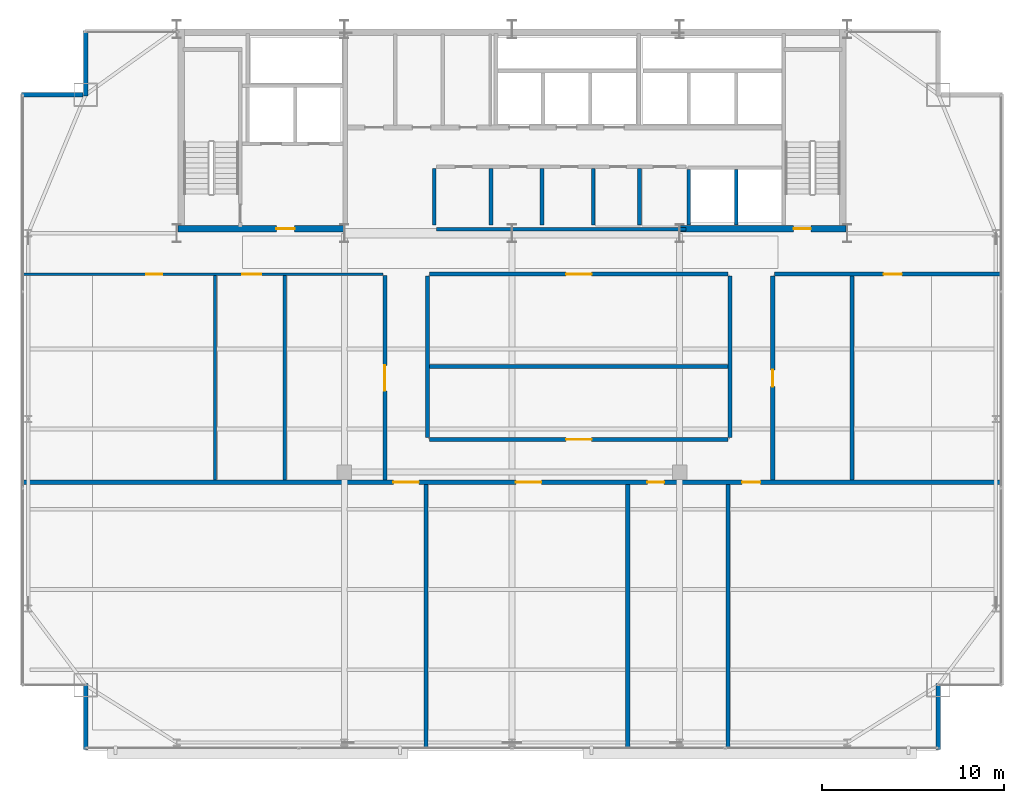
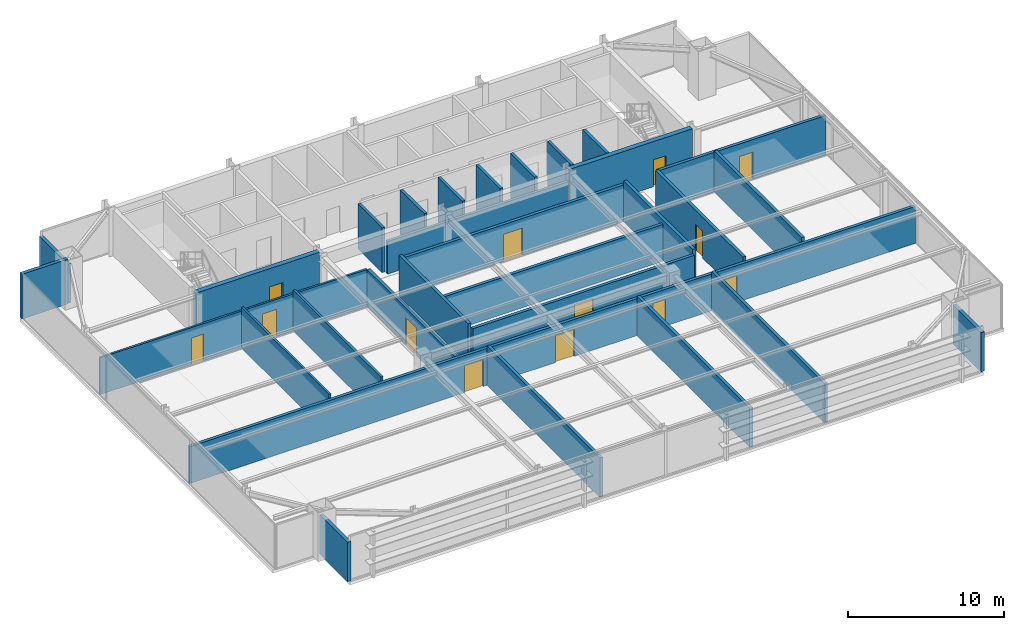
# One storey, part 25 of 29: 30 walls, 13 doors, 13 openings.
"""IFC4 building model written with IfcOpenShell, lengths in metres."""

from ifc_helpers import new_model, si_unit, direction, frame, frame_2d, origin, place, context, subcontext, project, spatial, rectangle, extrude, source, transform, mapped, material, layer, layer_set, type_object, type_shapes, element, fill, save


model = new_model("IFC4")

# Units and contexts
model_context = context("Model", 3, precision=1e-05, world=origin(), true_north=direction((0.0, 1.0)))
body_context = subcontext(model_context, "Body", "Model", "MODEL_VIEW")
ifc_project = project(units=[si_unit("LENGTHUNIT", "METRE"), si_unit("AREAUNIT", "SQUARE_METRE"), si_unit("VOLUMEUNIT", "CUBIC_METRE"), si_unit("PLANEANGLEUNIT", "RADIAN"), si_unit("MASSUNIT", "GRAM", prefix="KILO")], contexts=[model_context])

# Site, building, storey
site_placement = place(None, origin())
site = spatial("IfcSite", under=ifc_project, at=site_placement, CompositionType="ELEMENT")
building_placement = place(site_placement, origin())
building = spatial("IfcBuilding", under=site, at=building_placement, Name="Varnel Quay Broadcast Tower", CompositionType="ELEMENT")
storey_placement = place(building_placement, frame((0.0, 0.0, 187.60009765625)))
storey = spatial("IfcBuildingStorey", under=building, at=storey_placement, Name="L46", CompositionType="ELEMENT", Elevation=187.60009765625)

# Walls
ifc_material_1 = material(Name="Concrete CSA A23.3 C50/60", Category="concrete")
ifc_layer_1 = layer(ifc_material_1, 0.199951171875, Name="Concrete CSA A23.3 C50/60")
ifc_layer_set_1 = layer_set([ifc_layer_1], Name="Concrete CSA A23.3 C50/60")
wall_type_1 = type_object("IfcWallType", Name="Wall_CoreShaftShear200", PredefinedType="SHEAR", material=ifc_layer_set_1)
for number, where, z_axis, x_axis, name in (
    (1, (43.699951171875, 36.050048828125, 0.0), (0.0, 0.0, 1.0), (0.0, 1.0, 0.0), "L46 Express Lift Shaft West Wall"),
    (2, (46.300048828125, 36.050048828125, 0.0), (0.0, 0.0, 1.0), (0.0, 1.0, 0.0), "L46 Express Lift Shaft Divider"),
):
    element("IfcWall", number, at=place(storey_placement, frame(where, z_axis=z_axis, x_axis=x_axis)), inside=storey, type_object=wall_type_1, Name=name, PredefinedType="SHEAR", context=body_context, shape_type="SweptSolid", body=[
        extrude(rectangle(XDim=3.050048828125, YDim=0.199951171875, at=frame_2d((1.52490234375, 0.0))), origin(), (0.0, 0.0, 1.0), 3.52001953125),
    ])

# Wall, opening, door
ifc_layer_2 = layer(ifc_material_1, 0.35009765625, Name="Concrete CSA A23.3 C50/60")
ifc_layer_set_2 = layer_set([ifc_layer_2], Name="Concrete CSA A23.3 C50/60")
wall_type_2 = type_object("IfcWallType", Name="Wall_CoreShearInt350", PredefinedType="SHEAR", material=ifc_layer_set_2)
wall_1_placement = place(storey_placement, frame((15.669921875, 35.844970703125, 0.0), z_axis=(0.0, 0.0, 1.0), x_axis=(1.0, 0.0, 0.0)))
wall_1 = element("IfcWall", 3, at=wall_1_placement, inside=storey, type_object=wall_type_2, Name="L46 South-West Core Shear Wall", PredefinedType="SHEAR", context=body_context, shape_type="SweptSolid", body=[
    extrude(rectangle(XDim=9.130126953125, YDim=0.35009765625, at=frame_2d((4.56494140625, 0.0))), origin(), (0.0, 0.0, 1.0), 3.52001953125),
])
opening_1_placement = place(wall_1_placement, frame((5.39990234375, 0.0, 0.0)))
opening_1 = element("IfcOpeningElement", 4, at=opening_1_placement, cuts=wall_1, Name="Opening D-L46-FFL", PredefinedType="OPENING", context=body_context, shape_type="SweptSolid", body=[
    extrude(rectangle(XDim=1.0, YDim=2.10009765625, at=frame_2d((0.5, 1.050048828125))), frame((0.0, 0.18505859375, 0.0), z_axis=(0.0, -1.0, 0.0), x_axis=(1.0, 0.0, 0.0)), (0.0, 0.0, 1.0), 0.3701171875),
])
ifc_material_2 = material(Name="Insulated Fire-Rated Hollow Steel Door", Category="steel")
door_type_1 = type_object("IfcDoorType", Name="Door_FireLobby1000", OperationType="NOTDEFINED", PredefinedType="DOOR", material=ifc_material_2)
shared_shape_1 = source(origin(), body_context, "Body", "SweptSolid", [
    extrude(rectangle(XDim=1.0, YDim=2.10009765625, at=frame_2d((0.5, 1.050048828125))), frame((0.0, 0.02490234375, 0.0), z_axis=(0.0, -1.0, 0.0), x_axis=(1.0, 0.0, 0.0)), (0.0, 0.0, 1.0), 0.050048828125),
])
type_shapes(door_type_1, [shared_shape_1])
door_1_placement = place(opening_1_placement, origin())
door_1 = element("IfcDoor", 5, at=door_1_placement, inside=storey, type_object=door_type_1, Name="L46 Firefighting Lobby Door", OperationType="SINGLE_SWING_RIGHT", OverallHeight=2.10009765625, OverallWidth=1.0, PredefinedType="DOOR", context=body_context, shape_type="MappedRepresentation", body=[
    mapped(shared_shape_1, transform((0.0, 0.0, 0.0), x_axis=(1.0, 0.0, 0.0), y_axis=(0.0, 1.0, 0.0), z_axis=(0.0, 0.0, 1.0), scale=1.0)),
])
fill(opening_1, door_1)

wall_2_placement = place(storey_placement, frame((43.199951171875, 35.844970703125, 0.0), z_axis=(0.0, 0.0, 1.0), x_axis=(1.0, 0.0, 0.0)))
wall_2 = element("IfcWall", 6, at=wall_2_placement, inside=storey, type_object=wall_type_2, Name="L46 South-East Core Shear Wall", PredefinedType="SHEAR", context=body_context, shape_type="SweptSolid", body=[
    extrude(rectangle(XDim=9.130126953125, YDim=0.35009765625, at=frame_2d((4.56494140625, 0.0))), origin(), (0.0, 0.0, 1.0), 3.52001953125),
])
opening_2_placement = place(wall_2_placement, frame((6.25, 0.0, 0.0)))
opening_2 = element("IfcOpeningElement", 7, at=opening_2_placement, cuts=wall_2, Name="Opening D-L46-S2", PredefinedType="OPENING", context=body_context, shape_type="SweptSolid", body=[
    extrude(rectangle(XDim=0.949951171875, YDim=2.10009765625, at=frame_2d((0.47509765625, 1.050048828125))), frame((0.0, 0.18505859375, 0.0), z_axis=(0.0, -1.0, 0.0), x_axis=(1.0, 0.0, 0.0)), (0.0, 0.0, 1.0), 0.3701171875),
])
door_type_2 = type_object("IfcDoorType", Name="Door_FireStair950", OperationType="NOTDEFINED", PredefinedType="DOOR", material=ifc_material_2)
shared_shape_2 = source(origin(), body_context, "Body", "SweptSolid", [
    extrude(rectangle(XDim=0.949951171875, YDim=2.10009765625, at=frame_2d((0.47509765625, 1.050048828125))), frame((0.0, 0.02490234375, 0.0), z_axis=(0.0, -1.0, 0.0), x_axis=(1.0, 0.0, 0.0)), (0.0, 0.0, 1.0), 0.050048828125),
])
type_shapes(door_type_2, [shared_shape_2])
door_2_placement = place(opening_2_placement, origin())
door_2 = element("IfcDoor", 8, at=door_2_placement, inside=storey, type_object=door_type_2, Name="L46 Stair 2 Fire Door", OperationType="SINGLE_SWING_LEFT", OverallHeight=2.10009765625, OverallWidth=0.949951171875, PredefinedType="DOOR", context=body_context, shape_type="MappedRepresentation", body=[
    mapped(shared_shape_2, transform((0.0, 0.0, 0.0), x_axis=(1.0, 0.0, 0.0), y_axis=(0.0, 1.0, 0.0), z_axis=(0.0, 0.0, 1.0), scale=1.0)),
])
fill(opening_2, door_2)

# Walls
ifc_material_3 = material(Name="Precast Architectural Concrete C40/50", Category="concrete")
ifc_layer_3 = layer(ifc_material_3, 0.25, Name="Precast Architectural Concrete C40/50")
ifc_layer_set_3 = layer_set([ifc_layer_3], Name="Precast Architectural Concrete C40/50")
wall_type_3 = type_object("IfcWallType", Name="Wall_ExtTerrace250", PredefinedType="SOLIDWALL", material=ifc_layer_set_3)
for number, where, z_axis, x_axis, name in (
    (9, (10.60009765625, 7.280029296875, 0.0), (0.0, 0.0, 1.0), (0.0, 1.0, 0.0), "L46 Mega-Column Notch Cladding Wall NSW2"),
    (10, (57.39990234375, 7.280029296875, 0.0), (0.0, 0.0, 1.0), (0.0, 1.0, 0.0), "L46 Mega-Column Notch Cladding Wall NSE2"),
):
    element("IfcWall", number, at=place(storey_placement, frame(where, z_axis=z_axis, x_axis=x_axis)), inside=storey, type_object=wall_type_3, Name=name, PredefinedType="SOLIDWALL", context=body_context, shape_type="SweptSolid", body=[
        extrude(rectangle(XDim=3.599853515625, YDim=0.25, at=frame_2d((1.7998046875, 0.0))), origin(), (0.0, 0.0, 1.0), 3.077880859375),
    ])
wall_3_placement = place(storey_placement, frame((7.080078125, 43.199951171875, 0.0), z_axis=(0.0, 0.0, 1.0), x_axis=(1.0, 0.0, 0.0)))
element("IfcWall", 11, at=wall_3_placement, inside=storey, type_object=wall_type_3, Name="L46 Mega-Column Notch Cladding Wall NNW1", PredefinedType="SOLIDWALL", context=body_context, shape_type="SweptSolid", body=[
    extrude(rectangle(XDim=3.389892578125, YDim=0.25, at=frame_2d((1.69482421875, 0.0))), origin(), (0.0, 0.0, 1.0), 3.5),
])
wall_4_placement = place(storey_placement, frame((10.60009765625, 43.1201171875, 0.0), z_axis=(0.0, 0.0, 1.0), x_axis=(0.0, 1.0, 0.0)))
element("IfcWall", 12, at=wall_4_placement, inside=storey, type_object=wall_type_3, Name="L46 Mega-Column Notch Cladding Wall NNW2", PredefinedType="SOLIDWALL", context=body_context, shape_type="SweptSolid", body=[
    extrude(rectangle(XDim=3.599853515625, YDim=0.25, at=frame_2d((1.7998046875, 0.0))), origin(), (0.0, 0.0, 1.0), 3.077880859375),
])
ifc_material_4 = material(Name="Concrete Blockwork Fire Enclosure C40/50", Category="masonry")
ifc_layer_4 = layer(ifc_material_4, 0.199951171875, Name="Concrete Blockwork Fire Enclosure C40/50")
ifc_layer_set_4 = layer_set([ifc_layer_4], Name="Concrete Blockwork Fire Enclosure C40/50")
wall_type_4 = type_object("IfcWallType", Name="Wall_FireShaft200", PredefinedType="SOLIDWALL", material=ifc_layer_set_4)
wall_5_placement = place(storey_placement, frame((29.85009765625, 35.824951171875, 0.0), z_axis=(0.0, 0.0, 1.0), x_axis=(1.0, 0.0, 0.0)))
element("IfcWall", 13, at=wall_5_placement, inside=storey, type_object=wall_type_4, Name="L46 Accessible Washroom Partition 1", PredefinedType="SOLIDWALL", context=body_context, shape_type="SweptSolid", body=[
    extrude(rectangle(XDim=13.699951171875, YDim=0.199951171875, at=frame_2d((6.85009765625, 0.0))), origin(), (0.0, 0.0, 1.0), 2.544921875),
])
wall_6_placement = place(storey_placement, frame((41.0, 36.050048828125, 0.0), z_axis=(0.0, 0.0, 1.0), x_axis=(0.0, 1.0, 0.0)))
element("IfcWall", 14, at=wall_6_placement, inside=storey, type_object=wall_type_4, Name="L46 Cleaners' & Linen Store Partition 7", PredefinedType="SOLIDWALL", context=body_context, shape_type="SweptSolid", body=[
    extrude(rectangle(XDim=3.099853515625, YDim=0.199951171875, at=frame_2d((1.5498046875, 0.0))), origin(), (0.0, 0.0, 1.0), 3.5),
])
ifc_material_5 = material(Name="Steel-Stud Fire-Rated Acoustic Gypsum Partition Assembly", Category="steel")
ifc_layer_5 = layer(ifc_material_5, 0.14990234375, Name="Steel-Stud Fire-Rated Acoustic Gypsum Partition Assembly")
ifc_layer_set_5 = layer_set([ifc_layer_5], Name="Steel-Stud Fire-Rated Acoustic Gypsum Partition Assembly")
wall_type_5 = type_object("IfcWallType", Name="Wall_Partition150", PredefinedType="PARTITIONING", material=ifc_layer_set_5)
wall_7_placement = place(storey_placement, frame((17.699951171875, 22.04296875, 0.0), z_axis=(0.0, 0.0, 1.0), x_axis=(0.0, 1.0, 0.0)))
element("IfcWall", 15, at=wall_7_placement, inside=storey, type_object=wall_type_5, Name="L46 Pantry Niche 5 Partition 12", PredefinedType="PARTITIONING", context=body_context, shape_type="SweptSolid", body=[
    extrude(rectangle(XDim=11.23193359375, YDim=0.14990234375, at=frame_2d((5.615966796875, 0.0))), origin(), (0.0, 0.0, 1.0), 3.19189453125),
])

# Wall, openings, doors
wall_8_placement = place(storey_placement, frame((7.179931640625, 33.35009765625, 0.0), z_axis=(0.0, 0.0, 1.0), x_axis=(1.0, 0.0, 0.0)))
wall_8 = element("IfcWall", 16, at=wall_8_placement, inside=storey, type_object=wall_type_5, Name="L46 Pantry Niche 5 Partition 13", PredefinedType="PARTITIONING", context=body_context, shape_type="SweptSolid", body=[
    extrude(rectangle(XDim=19.739990234375, YDim=0.14990234375, at=frame_2d((9.8701171875, 0.0))), origin(), (0.0, 0.0, 1.0), 2.87890625),
])
opening_3_placement = place(wall_8_placement, frame((6.7548828125, 0.0, 0.0)))
opening_3 = element("IfcOpeningElement", 17, at=opening_3_placement, cuts=wall_8, Name="Opening D-L46-10", PredefinedType="OPENING", context=body_context, shape_type="SweptSolid", body=[
    extrude(rectangle(XDim=0.8798828125, YDim=2.06005859375, at=frame_2d((0.43994140625, 1.030029296875))), frame((0.0, 0.0849609375, 0.0), z_axis=(0.0, -1.0, 0.0), x_axis=(1.0, 0.0, 0.0)), (0.0, 0.0, 1.0), 0.169921875),
])
opening_4_placement = place(wall_8_placement, frame((12.010009765625, 0.0, 0.0)))
opening_4 = element("IfcOpeningElement", 18, at=opening_4_placement, cuts=wall_8, Name="Opening D-L46-11", PredefinedType="OPENING", context=body_context, shape_type="SweptSolid", body=[
    extrude(rectangle(XDim=1.050048828125, YDim=2.10009765625, at=frame_2d((0.52490234375, 1.050048828125))), frame((0.0, 0.0849609375, 0.0), z_axis=(0.0, -1.0, 0.0), x_axis=(1.0, 0.0, 0.0)), (0.0, 0.0, 1.0), 0.169921875),
])
ifc_material_6 = material(Name="Solid-Core Fire-Rated Acoustic Oak Veneer Door", Category="wood")
door_type_3 = type_object("IfcDoorType", Name="Door_Booth880", OperationType="NOTDEFINED", PredefinedType="DOOR", material=ifc_material_6)
shared_shape_3 = source(origin(), body_context, "Body", "SweptSolid", [
    extrude(rectangle(XDim=0.8798828125, YDim=2.06005859375, at=frame_2d((0.43994140625, 1.030029296875))), frame((0.0, 0.02490234375, 0.0), z_axis=(0.0, -1.0, 0.0), x_axis=(1.0, 0.0, 0.0)), (0.0, 0.0, 1.0), 0.050048828125),
])
type_shapes(door_type_3, [shared_shape_3])
door_3_placement = place(opening_3_placement, frame((0.8798828125, 0.0, 0.0), z_axis=(0.0, 0.0, 1.0), x_axis=(-1.0, 0.0, 0.0)))
door_3 = element("IfcDoor", 19, at=door_3_placement, inside=storey, type_object=door_type_3, Name="L46 Pantry Niche 5 Door D-L46-10", OperationType="SINGLE_SWING_RIGHT", OverallHeight=2.06005859375, OverallWidth=0.8798828125, PredefinedType="DOOR", context=body_context, shape_type="MappedRepresentation", body=[
    mapped(shared_shape_3, transform((0.0, 0.0, 0.0), x_axis=(1.0, 0.0, 0.0), y_axis=(0.0, 1.0, 0.0), z_axis=(0.0, 0.0, 1.0), scale=1.0)),
])
fill(opening_3, door_3)
door_type_4 = type_object("IfcDoorType", Name="Door_Meeting1050", OperationType="NOTDEFINED", PredefinedType="DOOR", material=ifc_material_6)
shared_shape_4 = source(origin(), body_context, "Body", "SweptSolid", [
    extrude(rectangle(XDim=1.050048828125, YDim=2.10009765625, at=frame_2d((0.52490234375, 1.050048828125))), frame((0.0, 0.02490234375, 0.0), z_axis=(0.0, -1.0, 0.0), x_axis=(1.0, 0.0, 0.0)), (0.0, 0.0, 1.0), 0.050048828125),
])
type_shapes(door_type_4, [shared_shape_4])
door_4_placement = place(opening_4_placement, frame((1.050048828125, 0.0, 0.0), z_axis=(0.0, 0.0, 1.0), x_axis=(-1.0, 0.0, 0.0)))
door_4 = element("IfcDoor", 20, at=door_4_placement, inside=storey, type_object=door_type_4, Name="L46 Broadcast Seminar Room 6 Door D-L46-11", OperationType="SINGLE_SWING_LEFT", OverallHeight=2.10009765625, OverallWidth=1.050048828125, PredefinedType="DOOR", context=body_context, shape_type="MappedRepresentation", body=[
    mapped(shared_shape_4, transform((0.0, 0.0, 0.0), x_axis=(1.0, 0.0, 0.0), y_axis=(0.0, 1.0, 0.0), z_axis=(0.0, 0.0, 1.0), scale=1.0)),
])
fill(opening_4, door_4)

# Walls
ifc_layer_6 = layer(ifc_material_5, 0.175048828125, Name="Steel-Stud Fire-Rated Acoustic Gypsum Partition Assembly")
ifc_layer_set_6 = layer_set([ifc_layer_6], Name="Steel-Stud Fire-Rated Acoustic Gypsum Partition Assembly")
wall_type_6 = type_object("IfcWallType", Name="Wall_Partition175", PredefinedType="PARTITIONING", material=ifc_layer_set_6)
wall_9_placement = place(storey_placement, frame((21.530029296875, 22.04296875, 0.0), z_axis=(0.0, 0.0, 1.0), x_axis=(0.0, 1.0, 0.0)))
element("IfcWall", 21, at=wall_9_placement, inside=storey, type_object=wall_type_6, Name="L46 Broadcast Seminar Room 6 Partition 14", PredefinedType="PARTITIONING", context=body_context, shape_type="SweptSolid", body=[
    extrude(rectangle(XDim=11.23193359375, YDim=0.175048828125, at=frame_2d((5.615966796875, 0.0))), origin(), (0.0, 0.0, 1.0), 3.19189453125),
])
ifc_layer_7 = layer(ifc_material_5, 0.22509765625, Name="Steel-Stud Fire-Rated Acoustic Gypsum Partition Assembly")
ifc_layer_set_7 = layer_set([ifc_layer_7], Name="Steel-Stud Fire-Rated Acoustic Gypsum Partition Assembly")
wall_type_7 = type_object("IfcWallType", Name="Wall_Partition225", PredefinedType="PARTITIONING", material=ifc_layer_set_7)
wall_10_placement = place(storey_placement, frame((29.27001953125, 7.3798828125, 0.0), z_axis=(0.0, 0.0, 1.0), x_axis=(0.0, 1.0, 0.0)))
element("IfcWall", 22, at=wall_10_placement, inside=storey, type_object=wall_type_7, Name="L46 Foley Sound Studio 1 Partition 8", PredefinedType="PARTITIONING", context=body_context, shape_type="SweptSolid", body=[
    extrude(rectangle(XDim=14.43701171875, YDim=0.22509765625, at=frame_2d((7.218505859375, 0.0))), origin(), (0.0, 0.0, 1.0), 3.077880859375),
])

# Wall, openings, doors
wall_11_placement = place(storey_placement, frame((7.179931640625, 21.929931640625, 0.0), z_axis=(0.0, 0.0, 1.0), x_axis=(1.0, 0.0, 0.0)))
wall_11 = element("IfcWall", 23, at=wall_11_placement, inside=storey, type_object=wall_type_7, Name="L46 Foley Sound Studio 1 Partition 9", PredefinedType="PARTITIONING", context=body_context, shape_type="SweptSolid", body=[
    extrude(rectangle(XDim=53.64013671875, YDim=0.22509765625, at=frame_2d((26.820068359375, 0.0))), origin(), (0.0, 0.0, 1.0), 2.87890625),
])
opening_5_placement = place(wall_11_placement, frame((20.31494140625, 0.0, 0.0)))
opening_5 = element("IfcOpeningElement", 24, at=opening_5_placement, cuts=wall_11, Name="Opening D-L46-06", PredefinedType="OPENING", context=body_context, shape_type="SweptSolid", body=[
    extrude(rectangle(XDim=1.39990234375, YDim=2.1201171875, at=frame_2d((0.699951171875, 1.06005859375))), frame((0.0, 0.12255859375, 0.0), z_axis=(0.0, -1.0, 0.0), x_axis=(1.0, 0.0, 0.0)), (0.0, 0.0, 1.0), 0.2451171875),
])
opening_6_placement = place(wall_11_placement, frame((27.030029296875, 0.0, 0.0)))
opening_6 = element("IfcOpeningElement", 25, at=opening_6_placement, cuts=wall_11, Name="Opening D-L46-07", PredefinedType="OPENING", context=body_context, shape_type="SweptSolid", body=[
    extrude(rectangle(XDim=1.39990234375, YDim=2.1201171875, at=frame_2d((0.699951171875, 1.06005859375))), frame((0.0, 0.12255859375, 0.0), z_axis=(0.0, -1.0, 0.0), x_axis=(1.0, 0.0, 0.0)), (0.0, 0.0, 1.0), 0.2451171875),
])
opening_7_placement = place(wall_11_placement, frame((34.2451171875, 0.0, 0.0)))
opening_7 = element("IfcOpeningElement", 26, at=opening_7_placement, cuts=wall_11, Name="Opening D-L46-08", PredefinedType="OPENING", context=body_context, shape_type="SweptSolid", body=[
    extrude(rectangle(XDim=0.919921875, YDim=2.080078125, at=frame_2d((0.4599609375, 1.0400390625))), frame((0.0, 0.12255859375, 0.0), z_axis=(0.0, -1.0, 0.0), x_axis=(1.0, 0.0, 0.0)), (0.0, 0.0, 1.0), 0.2451171875),
])
opening_8_placement = place(wall_11_placement, frame((39.455078125, 0.0, 0.0)))
opening_8 = element("IfcOpeningElement", 27, at=opening_8_placement, cuts=wall_11, Name="Opening D-L46-09", PredefinedType="OPENING", context=body_context, shape_type="SweptSolid", body=[
    extrude(rectangle(XDim=1.0, YDim=2.10009765625, at=frame_2d((0.5, 1.050048828125))), frame((0.0, 0.12255859375, 0.0), z_axis=(0.0, -1.0, 0.0), x_axis=(1.0, 0.0, 0.0)), (0.0, 0.0, 1.0), 0.2451171875),
])
door_type_5 = type_object("IfcDoorType", Name="Door_Office920", OperationType="NOTDEFINED", PredefinedType="DOOR", material=ifc_material_6)
shared_shape_5 = source(origin(), body_context, "Body", "SweptSolid", [
    extrude(rectangle(XDim=0.919921875, YDim=2.080078125, at=frame_2d((0.4599609375, 1.0400390625))), frame((0.0, 0.02490234375, 0.0), z_axis=(0.0, -1.0, 0.0), x_axis=(1.0, 0.0, 0.0)), (0.0, 0.0, 1.0), 0.050048828125),
])
type_shapes(door_type_5, [shared_shape_5])
door_5_placement = place(opening_7_placement, frame((0.919921875, 0.0, 0.0), z_axis=(0.0, 0.0, 1.0), x_axis=(-1.0, 0.0, 0.0)))
door_5 = element("IfcDoor", 28, at=door_5_placement, inside=storey, type_object=door_type_5, Name="L46 Audio Control Room 3 Door D-L46-08", OperationType="SINGLE_SWING_RIGHT", OverallHeight=2.080078125, OverallWidth=0.919921875, PredefinedType="DOOR", context=body_context, shape_type="MappedRepresentation", body=[
    mapped(shared_shape_5, transform((0.0, 0.0, 0.0), x_axis=(1.0, 0.0, 0.0), y_axis=(0.0, 1.0, 0.0), z_axis=(0.0, 0.0, 1.0), scale=1.0)),
])
fill(opening_7, door_5)
door_type_6 = type_object("IfcDoorType", Name="Door_Exec1000", OperationType="NOTDEFINED", PredefinedType="DOOR", material=ifc_material_6)
shared_shape_6 = source(origin(), body_context, "Body", "SweptSolid", [
    extrude(rectangle(XDim=1.0, YDim=2.10009765625, at=frame_2d((0.5, 1.050048828125))), frame((0.0, 0.02490234375, 0.0), z_axis=(0.0, -1.0, 0.0), x_axis=(1.0, 0.0, 0.0)), (0.0, 0.0, 1.0), 0.050048828125),
])
type_shapes(door_type_6, [shared_shape_6])
door_6_placement = place(opening_8_placement, frame((1.0, 0.0, 0.0), z_axis=(0.0, 0.0, 1.0), x_axis=(-1.0, 0.0, 0.0)))
door_6 = element("IfcDoor", 29, at=door_6_placement, inside=storey, type_object=door_type_6, Name="L46 Talent Lounge 4 Door D-L46-09", OperationType="SINGLE_SWING_LEFT", OverallHeight=2.10009765625, OverallWidth=1.0, PredefinedType="DOOR", context=body_context, shape_type="MappedRepresentation", body=[
    mapped(shared_shape_6, transform((0.0, 0.0, 0.0), x_axis=(1.0, 0.0, 0.0), y_axis=(0.0, 1.0, 0.0), z_axis=(0.0, 0.0, 1.0), scale=1.0)),
])
fill(opening_8, door_6)
door_type_7 = type_object("IfcDoorType", Name="Door_Gallery1400", OperationType="DOUBLE_DOOR_SINGLE_SWING", PredefinedType="DOOR", material=ifc_material_6)
shared_shape_7 = source(origin(), body_context, "Body", "SweptSolid", [
    extrude(rectangle(XDim=1.39990234375, YDim=2.1201171875, at=frame_2d((0.699951171875, 1.06005859375))), frame((0.0, 0.02490234375, 0.0), z_axis=(0.0, -1.0, 0.0), x_axis=(1.0, 0.0, 0.0)), (0.0, 0.0, 1.0), 0.050048828125),
])
type_shapes(door_type_7, [shared_shape_7])
door_7_placement = place(opening_5_placement, frame((1.39990234375, 0.0, 0.0), z_axis=(0.0, 0.0, 1.0), x_axis=(-1.0, 0.0, 0.0)))
door_7 = element("IfcDoor", 30, at=door_7_placement, inside=storey, type_object=door_type_7, Name="L46 Foley Sound Studio 1 Door D-L46-06", OperationType="DOUBLE_DOOR_SINGLE_SWING", OverallHeight=2.1201171875, OverallWidth=1.39990234375, PredefinedType="DOOR", context=body_context, shape_type="MappedRepresentation", body=[
    mapped(shared_shape_7, transform((0.0, 0.0, 0.0), x_axis=(1.0, 0.0, 0.0), y_axis=(0.0, 1.0, 0.0), z_axis=(0.0, 0.0, 1.0), scale=1.0)),
])
fill(opening_5, door_7)
door_8_placement = place(opening_6_placement, frame((1.39990234375, 0.0, 0.0), z_axis=(0.0, 0.0, 1.0), x_axis=(-1.0, 0.0, 0.0)))
door_8 = element("IfcDoor", 31, at=door_8_placement, inside=storey, type_object=door_type_7, Name="L46 Voice Booth 2 Door D-L46-07", OperationType="DOUBLE_DOOR_SINGLE_SWING", OverallHeight=2.1201171875, OverallWidth=1.39990234375, PredefinedType="DOOR", context=body_context, shape_type="MappedRepresentation", body=[
    mapped(shared_shape_7, transform((0.0, 0.0, 0.0), x_axis=(1.0, 0.0, 0.0), y_axis=(0.0, 1.0, 0.0), z_axis=(0.0, 0.0, 1.0), scale=1.0)),
])
fill(opening_6, door_8)

# Walls
for number, where, z_axis, x_axis, name in (
    (32, (40.35009765625, 7.3798828125, 0.0), (0.0, 0.0, 1.0), (0.0, 1.0, 0.0), "L46 Voice Booth 2 Partition 10"),
    (33, (45.860107421875, 7.3798828125, 0.0), (0.0, 0.0, 1.0), (0.0, 1.0, 0.0), "L46 Audio Control Room 3 Partition 11"),
):
    element("IfcWall", number, at=place(storey_placement, frame(where, z_axis=z_axis, x_axis=x_axis)), inside=storey, type_object=wall_type_7, Name=name, PredefinedType="PARTITIONING", context=body_context, shape_type="SweptSolid", body=[
        extrude(rectangle(XDim=14.43701171875, YDim=0.22509765625, at=frame_2d((7.218505859375, 0.0))), origin(), (0.0, 0.0, 1.0), 3.077880859375),
    ])

# Wall, opening, door
wall_12_placement = place(storey_placement, frame((27.02001953125, 22.04296875, 0.0), z_axis=(0.0, 0.0, 1.0), x_axis=(0.0, 1.0, 0.0)))
wall_12 = element("IfcWall", 34, at=wall_12_placement, inside=storey, type_object=wall_type_7, Name="L46 Podcast Recording Studio 7 Partition 15", PredefinedType="PARTITIONING", context=body_context, shape_type="SweptSolid", body=[
    extrude(rectangle(XDim=11.23193359375, YDim=0.22509765625, at=frame_2d((5.615966796875, 0.0))), origin(), (0.0, 0.0, 1.0), 2.87890625),
])
opening_9_placement = place(wall_12_placement, frame((4.904052734375, 0.0, 0.0)))
opening_9 = element("IfcOpeningElement", 35, at=opening_9_placement, cuts=wall_12, Name="Opening D-L46-12", PredefinedType="OPENING", context=body_context, shape_type="SweptSolid", body=[
    extrude(rectangle(XDim=1.39990234375, YDim=2.1201171875, at=frame_2d((0.699951171875, 1.06005859375))), frame((0.0, 0.12255859375, 0.0), z_axis=(0.0, -1.0, 0.0), x_axis=(1.0, 0.0, 0.0)), (0.0, 0.0, 1.0), 0.2451171875),
])
door_9_placement = place(opening_9_placement, origin())
door_9 = element("IfcDoor", 36, at=door_9_placement, inside=storey, type_object=door_type_7, Name="L46 Podcast Recording Studio 7 Door D-L46-12", OperationType="DOUBLE_DOOR_SINGLE_SWING", OverallHeight=2.1201171875, OverallWidth=1.39990234375, PredefinedType="DOOR", context=body_context, shape_type="MappedRepresentation", body=[
    mapped(shared_shape_7, transform((0.0, 0.0, 0.0), x_axis=(1.0, 0.0, 0.0), y_axis=(0.0, 1.0, 0.0), z_axis=(0.0, 0.0, 1.0), scale=1.0)),
])
fill(opening_9, door_9)

wall_13_placement = place(storey_placement, frame((29.469970703125, 24.280029296875, 0.0), z_axis=(0.0, 0.0, 1.0), x_axis=(1.0, 0.0, 0.0)))
wall_13 = element("IfcWall", 37, at=wall_13_placement, inside=storey, type_object=wall_type_7, Name="L46 Foley Sound Studio 8 Partition 16", PredefinedType="PARTITIONING", context=body_context, shape_type="SweptSolid", body=[
    extrude(rectangle(XDim=16.39013671875, YDim=0.22509765625, at=frame_2d((8.195068359375, 0.0))), origin(), (0.0, 0.0, 1.0), 2.87890625),
])
opening_10_placement = place(wall_13_placement, frame((7.4951171875, 0.0, 0.0)))
opening_10 = element("IfcOpeningElement", 38, at=opening_10_placement, cuts=wall_13, Name="Opening D-L46-13", PredefinedType="OPENING", context=body_context, shape_type="SweptSolid", body=[
    extrude(rectangle(XDim=1.39990234375, YDim=2.1201171875, at=frame_2d((0.699951171875, 1.06005859375))), frame((0.0, 0.12255859375, 0.0), z_axis=(0.0, -1.0, 0.0), x_axis=(1.0, 0.0, 0.0)), (0.0, 0.0, 1.0), 0.2451171875),
])
door_10_placement = place(opening_10_placement, origin())
door_10 = element("IfcDoor", 39, at=door_10_placement, inside=storey, type_object=door_type_7, Name="L46 Foley Sound Studio 8 Door D-L46-13", OperationType="DOUBLE_DOOR_SINGLE_SWING", OverallHeight=2.1201171875, OverallWidth=1.39990234375, PredefinedType="DOOR", context=body_context, shape_type="MappedRepresentation", body=[
    mapped(shared_shape_7, transform((0.0, 0.0, 0.0), x_axis=(1.0, 0.0, 0.0), y_axis=(0.0, 1.0, 0.0), z_axis=(0.0, 0.0, 1.0), scale=1.0)),
])
fill(opening_10, door_10)

# Walls
wall_14_placement = place(storey_placement, frame((45.9599609375, 24.39306640625, 0.0), z_axis=(0.0, 0.0, 1.0), x_axis=(0.0, 1.0, 0.0)))
element("IfcWall", 40, at=wall_14_placement, inside=storey, type_object=wall_type_7, Name="L46 Foley Sound Studio 8 Partition 17", PredefinedType="PARTITIONING", context=body_context, shape_type="SweptSolid", body=[
    extrude(rectangle(XDim=8.844970703125, YDim=0.22509765625, at=frame_2d((4.42236328125, 0.0))), origin(), (0.0, 0.0, 1.0), 3.19189453125),
])
wall_15_placement = place(storey_placement, frame((29.469970703125, 28.280029296875, 0.0), z_axis=(0.0, 0.0, 1.0), x_axis=(1.0, 0.0, 0.0)))
element("IfcWall", 41, at=wall_15_placement, inside=storey, type_object=wall_type_7, Name="L46 Foley Sound Studio 8 Partition 18", PredefinedType="PARTITIONING", context=body_context, shape_type="SweptSolid", body=[
    extrude(rectangle(XDim=16.39013671875, YDim=0.22509765625, at=frame_2d((8.195068359375, 0.0))), origin(), (0.0, 0.0, 1.0), 2.87890625),
])
wall_16_placement = place(storey_placement, frame((29.3701171875, 24.39306640625, 0.0), z_axis=(0.0, 0.0, 1.0), x_axis=(0.0, 1.0, 0.0)))
element("IfcWall", 42, at=wall_16_placement, inside=storey, type_object=wall_type_7, Name="L46 Foley Sound Studio 8 Partition 19", PredefinedType="PARTITIONING", context=body_context, shape_type="SweptSolid", body=[
    extrude(rectangle(XDim=8.844970703125, YDim=0.22509765625, at=frame_2d((4.42236328125, 0.0))), origin(), (0.0, 0.0, 1.0), 3.19189453125),
])

# Wall, opening, door
wall_17_placement = place(storey_placement, frame((29.469970703125, 33.35009765625, 0.0), z_axis=(0.0, 0.0, 1.0), x_axis=(1.0, 0.0, 0.0)))
wall_17 = element("IfcWall", 43, at=wall_17_placement, inside=storey, type_object=wall_type_7, Name="L46 Voice Booth 9 Partition 20", PredefinedType="PARTITIONING", context=body_context, shape_type="SweptSolid", body=[
    extrude(rectangle(XDim=16.39013671875, YDim=0.22509765625, at=frame_2d((8.195068359375, 0.0))), origin(), (0.0, 0.0, 1.0), 2.87890625),
])
opening_11_placement = place(wall_17_placement, frame((7.4951171875, 0.0, 0.0)))
opening_11 = element("IfcOpeningElement", 44, at=opening_11_placement, cuts=wall_17, Name="Opening D-L46-14", PredefinedType="OPENING", context=body_context, shape_type="SweptSolid", body=[
    extrude(rectangle(XDim=1.39990234375, YDim=2.1201171875, at=frame_2d((0.699951171875, 1.06005859375))), frame((0.0, 0.12255859375, 0.0), z_axis=(0.0, -1.0, 0.0), x_axis=(1.0, 0.0, 0.0)), (0.0, 0.0, 1.0), 0.2451171875),
])
door_11_placement = place(opening_11_placement, frame((1.39990234375, 0.0, 0.0), z_axis=(0.0, 0.0, 1.0), x_axis=(-1.0, 0.0, 0.0)))
door_11 = element("IfcDoor", 45, at=door_11_placement, inside=storey, type_object=door_type_7, Name="L46 Voice Booth 9 Door D-L46-14", OperationType="DOUBLE_DOOR_SINGLE_SWING", OverallHeight=2.1201171875, OverallWidth=1.39990234375, PredefinedType="DOOR", context=body_context, shape_type="MappedRepresentation", body=[
    mapped(shared_shape_7, transform((0.0, 0.0, 0.0), x_axis=(1.0, 0.0, 0.0), y_axis=(0.0, 1.0, 0.0), z_axis=(0.0, 0.0, 1.0), scale=1.0)),
])
fill(opening_11, door_11)

# Wall
wall_18_placement = place(storey_placement, frame((52.64990234375, 22.04296875, 0.0), z_axis=(0.0, 0.0, 1.0), x_axis=(0.0, 1.0, 0.0)))
element("IfcWall", 46, at=wall_18_placement, inside=storey, type_object=wall_type_7, Name="L46 Audio Control Room 10 Partition 21", PredefinedType="PARTITIONING", context=body_context, shape_type="SweptSolid", body=[
    extrude(rectangle(XDim=11.195068359375, YDim=0.22509765625, at=frame_2d((5.59765625, 0.0))), origin(), (0.0, 0.0, 1.0), 3.19189453125),
])

# Wall, opening, door
wall_19_placement = place(storey_placement, frame((48.409912109375, 33.35009765625, 0.0), z_axis=(0.0, 0.0, 1.0), x_axis=(1.0, 0.0, 0.0)))
wall_19 = element("IfcWall", 47, at=wall_19_placement, inside=storey, type_object=wall_type_7, Name="L46 Audio Control Room 10 Partition 22", PredefinedType="PARTITIONING", context=body_context, shape_type="SweptSolid", body=[
    extrude(rectangle(XDim=12.41015625, YDim=0.22509765625, at=frame_2d((6.205078125, 0.0))), origin(), (0.0, 0.0, 1.0), 3.077880859375),
])
opening_12_placement = place(wall_19_placement, frame((5.989990234375, 0.0, 0.0)))
opening_12 = element("IfcOpeningElement", 48, at=opening_12_placement, cuts=wall_19, Name="Opening D-L46-16", PredefinedType="OPENING", context=body_context, shape_type="SweptSolid", body=[
    extrude(rectangle(XDim=1.0, YDim=2.10009765625, at=frame_2d((0.5, 1.050048828125))), frame((0.0, 0.12255859375, 0.0), z_axis=(0.0, -1.0, 0.0), x_axis=(1.0, 0.0, 0.0)), (0.0, 0.0, 1.0), 0.2451171875),
])
door_12_placement = place(opening_12_placement, frame((1.0, 0.0, 0.0), z_axis=(0.0, 0.0, 1.0), x_axis=(-1.0, 0.0, 0.0)))
door_12 = element("IfcDoor", 49, at=door_12_placement, inside=storey, type_object=door_type_6, Name="L46 Talent Lounge 11 Door D-L46-16", OperationType="SINGLE_SWING_LEFT", OverallHeight=2.10009765625, OverallWidth=1.0, PredefinedType="DOOR", context=body_context, shape_type="MappedRepresentation", body=[
    mapped(shared_shape_6, transform((0.0, 0.0, 0.0), x_axis=(1.0, 0.0, 0.0), y_axis=(0.0, 1.0, 0.0), z_axis=(0.0, 0.0, 1.0), scale=1.0)),
])
fill(opening_12, door_12)

wall_20_placement = place(storey_placement, frame((48.31005859375, 22.04296875, 0.0), z_axis=(0.0, 0.0, 1.0), x_axis=(0.0, 1.0, 0.0)))
wall_20 = element("IfcWall", 50, at=wall_20_placement, inside=storey, type_object=wall_type_7, Name="L46 Audio Control Room 10 Partition 23", PredefinedType="PARTITIONING", context=body_context, shape_type="SweptSolid", body=[
    extrude(rectangle(XDim=11.195068359375, YDim=0.22509765625, at=frame_2d((5.59765625, 0.0))), origin(), (0.0, 0.0, 1.0), 3.19189453125),
])
opening_13_placement = place(wall_20_placement, frame((5.137939453125, 0.0, 0.0)))
opening_13 = element("IfcOpeningElement", 51, at=opening_13_placement, cuts=wall_20, Name="Opening D-L46-15", PredefinedType="OPENING", context=body_context, shape_type="SweptSolid", body=[
    extrude(rectangle(XDim=0.919921875, YDim=2.080078125, at=frame_2d((0.4599609375, 1.0400390625))), frame((0.0, 0.12255859375, 0.0), z_axis=(0.0, -1.0, 0.0), x_axis=(1.0, 0.0, 0.0)), (0.0, 0.0, 1.0), 0.2451171875),
])
door_13_placement = place(opening_13_placement, frame((0.919921875, 0.0, 0.0), z_axis=(0.0, 0.0, 1.0), x_axis=(-1.0, 0.0, 0.0)))
door_13 = element("IfcDoor", 52, at=door_13_placement, inside=storey, type_object=door_type_5, Name="L46 Audio Control Room 10 Door D-L46-15", OperationType="SINGLE_SWING_RIGHT", OverallHeight=2.080078125, OverallWidth=0.919921875, PredefinedType="DOOR", context=body_context, shape_type="MappedRepresentation", body=[
    mapped(shared_shape_5, transform((0.0, 0.0, 0.0), x_axis=(1.0, 0.0, 0.0), y_axis=(0.0, 1.0, 0.0), z_axis=(0.0, 0.0, 1.0), scale=1.0)),
])
fill(opening_13, door_13)

# Walls
ifc_material_7 = material(Name="Fire-Rated Moisture-Resistant Plumbing Chase Partition")
ifc_layer_8 = layer(ifc_material_7, 0.199951171875, Name="Fire-Rated Moisture-Resistant Plumbing Chase Partition")
ifc_layer_set_8 = layer_set([ifc_layer_8], Name="Fire-Rated Moisture-Resistant Plumbing Chase Partition")
wall_type_8 = type_object("IfcWallType", Name="Wall_Plumbing200", PredefinedType="PLUMBINGWALL", material=ifc_layer_set_8)
for number, where, z_axis, x_axis, name in (
    (53, (32.85009765625, 36.050048828125, 0.0), (0.0, 0.0, 1.0), (0.0, 1.0, 0.0), "L46 Accessible Washroom Partition 2"),
    (54, (29.72509765625, 36.050048828125, 0.0), (0.0, 0.0, 1.0), (0.0, 1.0, 0.0), "L46 Accessible Washroom Partition 4"),
    (55, (35.64990234375, 36.050048828125, 0.0), (0.0, 0.0, 1.0), (0.0, 1.0, 0.0), "L46 West Gender-Neutral Washroom Partition 5"),
    (56, (38.449951171875, 36.050048828125, 0.0), (0.0, 0.0, 1.0), (0.0, 1.0, 0.0), "L46 East Staff Washroom Partition 6"),
):
    element("IfcWall", number, at=place(storey_placement, frame(where, z_axis=z_axis, x_axis=x_axis)), inside=storey, type_object=wall_type_8, Name=name, PredefinedType="PLUMBINGWALL", context=body_context, shape_type="SweptSolid", body=[
        extrude(rectangle(XDim=3.099853515625, YDim=0.199951171875, at=frame_2d((1.5498046875, 0.0))), origin(), (0.0, 0.0, 1.0), 3.5),
    ])

save(model, "model.ifc")
